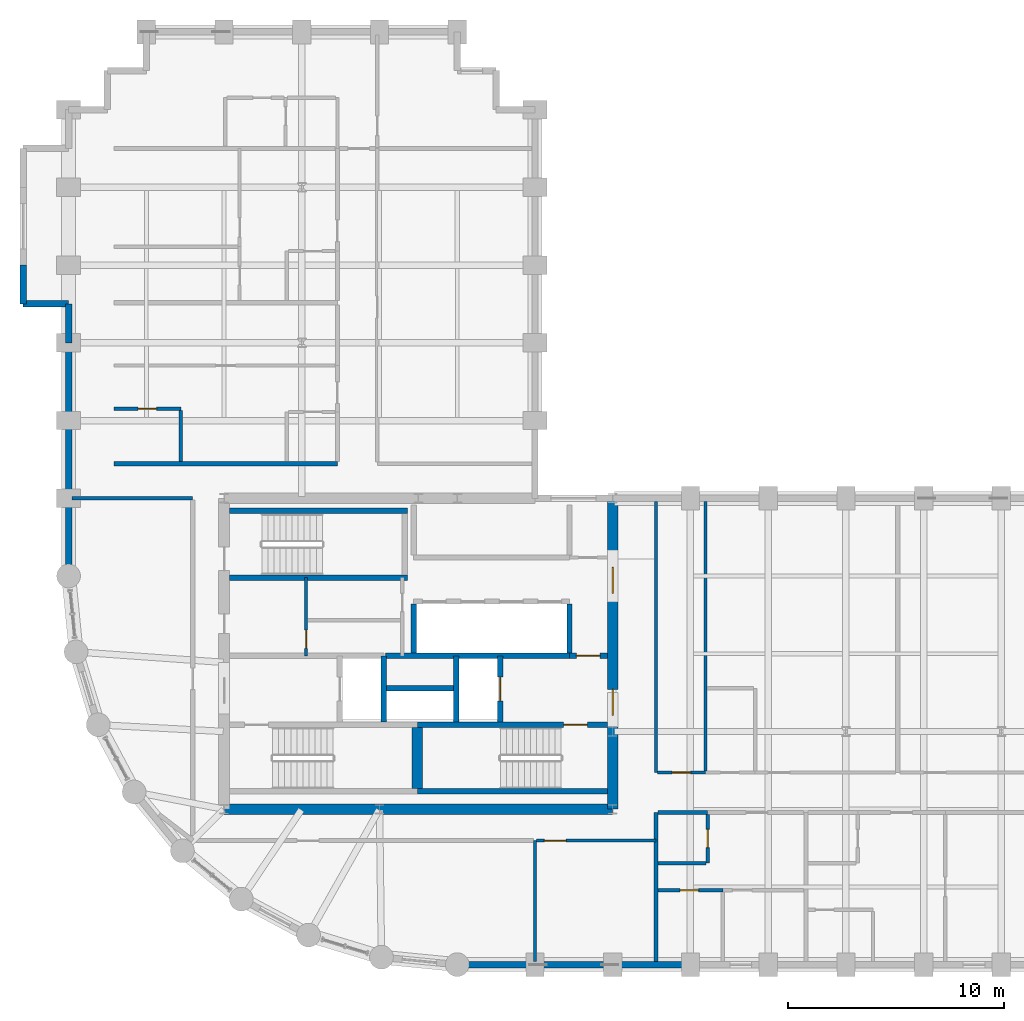
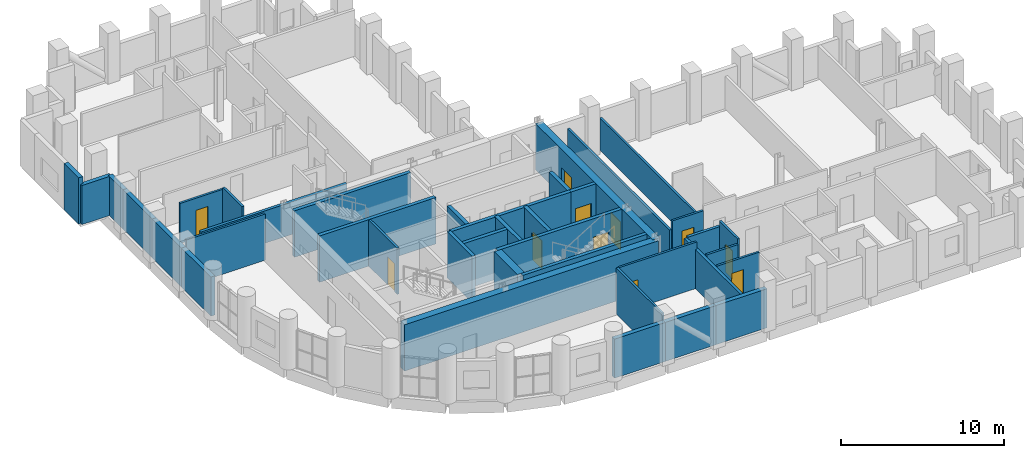
# One storey, part 8 of 13: 39 walls, 11 doors, 11 openings.
"""IFC4 building model written with IfcOpenShell, lengths in metres."""

from ifc_helpers import new_model, si_unit, direction, frame, frame_2d, origin, place, context, subcontext, project, spatial, rectangle, extrude, material, layer, layer_set, type_object, element, fill, save


model = new_model("IFC4")

# Units and contexts
model_context = context("Model", 3, precision=1e-05, world=origin(), true_north=direction((0.0, 1.0)))
body_context = subcontext(model_context, "Body", "Model", "MODEL_VIEW")
ifc_project = project(units=[si_unit("LENGTHUNIT", "METRE"), si_unit("AREAUNIT", "SQUARE_METRE"), si_unit("VOLUMEUNIT", "CUBIC_METRE"), si_unit("PLANEANGLEUNIT", "RADIAN"), si_unit("MASSUNIT", "GRAM", prefix="KILO")], contexts=[model_context])

# Site, building, storey
site_placement = place(None, origin())
site = spatial("IfcSite", under=ifc_project, at=site_placement, CompositionType="ELEMENT")
building_placement = place(site_placement, origin())
building = spatial("IfcBuilding", under=site, at=building_placement, Name="Solnavia Interchange Tower", CompositionType="ELEMENT")
storey_placement = place(building_placement, frame((0.0, 0.0, 123.800048828125)))
storey = spatial("IfcBuildingStorey", under=building, at=storey_placement, Name="L30", CompositionType="ELEMENT", Elevation=123.800048828125)

# Walls
ifc_material_1 = material(Name="Gypsum Acoustic Twin-Stud & Mineral Wool", Category="gypsum")
ifc_layer_1 = layer(ifc_material_1, 0.199951171875)
ifc_layer_set_1 = layer_set([ifc_layer_1], Name="Gypsum Acoustic Twin-Stud & Mineral Wool")
wall_type_1 = type_object("IfcWallType", Name="Wall-ApartmentParty-200", PredefinedType="PARTITIONING", material=ifc_layer_set_1)
wall_1_placement = place(storey_placement, frame((34.39990234375, 3.75390625, 0.0), z_axis=(0.0, 0.0, 1.0), x_axis=(0.0, 1.0, 0.0)))
element("IfcWall", 1, at=wall_1_placement, inside=storey, type_object=wall_type_1, Name="PTW-L30-13 Interior partition wall", PredefinedType="PARTITIONING", context=body_context, shape_type="SweptSolid", body=[
    extrude(rectangle(XDim=6.89599609375, YDim=0.199951171875, at=frame_2d((3.447998046875, 0.0))), origin(), (0.0, 0.0, 1.0), 2.929931640625),
])
wall_2_placement = place(storey_placement, frame((34.50390625, 10.64990234375, 0.0), z_axis=(0.0, 0.0, 1.0), x_axis=(1.0, 0.0, 0.0)))
element("IfcWall", 2, at=wall_2_placement, inside=storey, type_object=wall_type_1, Name="PTW-L30-15 Interior partition wall", PredefinedType="PARTITIONING", context=body_context, shape_type="SweptSolid", body=[
    extrude(rectangle(XDim=2.296142578125, YDim=0.199951171875, at=frame_2d((1.14794921875, 0.0))), origin(), (0.0, 0.0, 1.0), 3.010009765625),
])
wall_3_placement = place(storey_placement, frame((9.300048828125, 26.800048828125, 0.0), z_axis=(0.0, 0.0, 1.0), x_axis=(1.0, 0.0, 0.0)))
element("IfcWall", 3, at=wall_3_placement, inside=storey, type_object=wall_type_1, Name="PTW-L30-42 Interior partition wall", PredefinedType="PARTITIONING", context=body_context, shape_type="SweptSolid", body=[
    extrude(rectangle(XDim=10.349853515625, YDim=0.199951171875, at=frame_2d((5.1748046875, 0.0))), origin(), (0.0, 0.0, 1.0), 2.429931640625),
])
ifc_material_2 = material(Name="Concrete C40/50", Category="concrete")
ifc_layer_2 = layer(ifc_material_2, 0.300048828125)
ifc_layer_set_2 = layer_set([ifc_layer_2], Name="Concrete C40/50")
wall_type_2 = type_object("IfcWallType", Name="Wall-ExtSpandrel-300", PredefinedType="STANDARD", material=ifc_layer_set_2)
wall_4_placement = place(storey_placement, frame((28.800048828125, 3.60009765625, 0.0), z_axis=(0.0, 0.0, 1.0), x_axis=(-1.0, 0.0, 0.0)))
element("IfcWall", 4, at=wall_4_placement, inside=storey, type_object=wall_type_2, Name="EXW-L30-01 Exterior precast spandrel wall", PredefinedType="STANDARD", context=body_context, shape_type="SweptSolid", body=[
    extrude(rectangle(XDim=3.60009765625, YDim=0.300048828125, at=frame_2d((1.800048828125, 0.0))), origin(), (0.0, 0.0, 1.0), 2.929931640625),
])
wall_5_placement = place(storey_placement, frame((32.39990234375, 3.60009765625, 0.0), z_axis=(0.0, 0.0, 1.0), x_axis=(-1.0, 0.0, 0.0)))
element("IfcWall", 5, at=wall_5_placement, inside=storey, type_object=wall_type_2, Name="EXW-L30-02 Exterior precast spandrel wall", PredefinedType="STANDARD", context=body_context, shape_type="SweptSolid", body=[
    extrude(rectangle(XDim=3.599853515625, YDim=0.300048828125, at=frame_2d((1.7998046875, 0.0))), origin(), (0.0, 0.0, 1.0), 2.929931640625),
])
wall_6_placement = place(storey_placement, frame((36.0, 3.60009765625, 0.0), z_axis=(0.0, 0.0, 1.0), x_axis=(-1.0, 0.0, 0.0)))
element("IfcWall", 6, at=wall_6_placement, inside=storey, type_object=wall_type_2, Name="EXW-L30-03 Exterior precast spandrel wall", PredefinedType="STANDARD", context=body_context, shape_type="SweptSolid", body=[
    extrude(rectangle(XDim=3.60009765625, YDim=0.300048828125, at=frame_2d((1.800048828125, 0.0))), origin(), (0.0, 0.0, 1.0), 2.929931640625),
])
wall_7_placement = place(storey_placement, frame((5.10009765625, 34.199951171875, 0.0), z_axis=(0.0, 0.0, 1.0), x_axis=(0.0, 1.0, 0.0)))
element("IfcWall", 7, at=wall_7_placement, inside=storey, type_object=wall_type_2, Name="EXW-L30-49 Exterior precast spandrel wall", PredefinedType="STANDARD", context=body_context, shape_type="SweptSolid", body=[
    extrude(rectangle(XDim=1.800048828125, YDim=0.300048828125, at=frame_2d((0.89990234375, 0.0))), origin(), (0.0, 0.0, 1.0), 3.46484375),
])
wall_8_placement = place(storey_placement, frame((5.10009765625, 34.199951171875, 0.0), z_axis=(0.0, 0.0, 1.0), x_axis=(1.0, 0.0, 0.0)))
element("IfcWall", 8, at=wall_8_placement, inside=storey, type_object=wall_type_2, Name="EXW-L30-50 Exterior precast spandrel wall", PredefinedType="STANDARD", context=body_context, shape_type="SweptSolid", body=[
    extrude(rectangle(XDim=2.099853515625, YDim=0.300048828125, at=frame_2d((1.0498046875, 0.0))), origin(), (0.0, 0.0, 1.0), 2.929931640625),
])
wall_9_placement = place(storey_placement, frame((7.199951171875, 32.39990234375, 0.0), z_axis=(0.0, 0.0, 1.0), x_axis=(0.0, 1.0, 0.0)))
element("IfcWall", 9, at=wall_9_placement, inside=storey, type_object=wall_type_2, Name="EXW-L30-51 Exterior precast spandrel wall", PredefinedType="STANDARD", context=body_context, shape_type="SweptSolid", body=[
    extrude(rectangle(XDim=1.800048828125, YDim=0.300048828125, at=frame_2d((0.89990234375, 0.0))), origin(), (0.0, 0.0, 1.0), 2.929931640625),
])
wall_10_placement = place(storey_placement, frame((7.199951171875, 28.800048828125, 0.0), z_axis=(0.0, 0.0, 1.0), x_axis=(0.0, 1.0, 0.0)))
element("IfcWall", 10, at=wall_10_placement, inside=storey, type_object=wall_type_2, Name="EXW-L30-52 Exterior precast spandrel wall", PredefinedType="STANDARD", context=body_context, shape_type="SweptSolid", body=[
    extrude(rectangle(XDim=3.599853515625, YDim=0.300048828125, at=frame_2d((1.7998046875, 0.0))), origin(), (0.0, 0.0, 1.0), 2.929931640625),
])
wall_11_placement = place(storey_placement, frame((7.199951171875, 25.199951171875, 0.0), z_axis=(0.0, 0.0, 1.0), x_axis=(0.0, 1.0, 0.0)))
element("IfcWall", 11, at=wall_11_placement, inside=storey, type_object=wall_type_2, Name="EXW-L30-53 Exterior precast spandrel wall", PredefinedType="STANDARD", context=body_context, shape_type="SweptSolid", body=[
    extrude(rectangle(XDim=3.60009765625, YDim=0.300048828125, at=frame_2d((1.800048828125, 0.0))), origin(), (0.0, 0.0, 1.0), 2.929931640625),
])
wall_12_placement = place(storey_placement, frame((7.199951171875, 21.60009765625, 0.0), z_axis=(0.0, 0.0, 1.0), x_axis=(0.0, 1.0, 0.0)))
element("IfcWall", 12, at=wall_12_placement, inside=storey, type_object=wall_type_2, Name="EXW-L30-54 Exterior precast spandrel wall", PredefinedType="STANDARD", context=body_context, shape_type="SweptSolid", body=[
    extrude(rectangle(XDim=3.599853515625, YDim=0.300048828125, at=frame_2d((1.7998046875, 0.0))), origin(), (0.0, 0.0, 1.0), 2.929931640625),
])

# Wall, opening, door
ifc_material_3 = material(Name="Gypsum Plasterboard & Steel Stud", Category="steel")
ifc_layer_3 = layer(ifc_material_3, 0.14990234375)
ifc_layer_set_3 = layer_set([ifc_layer_3], Name="Gypsum Plasterboard & Steel Stud")
wall_type_3 = type_object("IfcWallType", Name="Wall-Partition-150", PredefinedType="PARTITIONING", material=ifc_layer_set_3)
wall_13_placement = place(storey_placement, frame((18.199951171875, 17.89990234375, 0.0), z_axis=(0.0, 0.0, 1.0), x_axis=(0.0, 1.0, 0.0)))
wall_13 = element("IfcWall", 13, at=wall_13_placement, inside=storey, type_object=wall_type_3, Name="CSW-L30-M1 Core shaft wall", PredefinedType="PARTITIONING", context=body_context, shape_type="SweptSolid", body=[
    extrude(rectangle(XDim=3.625, YDim=0.14990234375, at=frame_2d((1.8125, 0.0))), origin(), (0.0, 0.0, 1.0), 3.46484375),
])
opening_1_placement = place(wall_13_placement, frame((0.35009765625, 0.0, 0.0)))
opening_1 = element("IfcOpeningElement", 14, at=opening_1_placement, cuts=wall_13, Name="Opening DR-10", PredefinedType="OPENING", context=body_context, shape_type="SweptSolid", body=[
    extrude(rectangle(XDim=0.85009765625, YDim=2.10009765625, at=frame_2d((0.425048828125, 1.050048828125))), frame((0.0, 0.0849609375, 0.0), z_axis=(0.0, -1.0, 0.0), x_axis=(1.0, 0.0, 0.0)), (0.0, 0.0, 1.0), 0.169921875),
])
ifc_material_4 = material(Name="Moisture-Resistant Timber Door", Category="wood")
door_type_1 = type_object("IfcDoorType", Name="Door-Bathroom-850x2100", OperationType="SINGLE_SWING_RIGHT", PredefinedType="DOOR", material=ifc_material_4)
door_1_placement = place(opening_1_placement, origin())
door_1 = element("IfcDoor", 15, at=door_1_placement, inside=storey, type_object=door_type_1, Name="DR-L30-CS2 Core fire door", OperationType="SINGLE_SWING_LEFT", OverallHeight=2.10009765625, OverallWidth=0.85009765625, PredefinedType="DOOR", context=body_context, shape_type="SweptSolid", body=[
    extrude(rectangle(XDim=0.85009765625, YDim=2.10009765625, at=frame_2d((0.425048828125, 1.050048828125))), frame((0.0, 0.02490234375, 0.0), z_axis=(0.0, -1.0, 0.0), x_axis=(1.0, 0.0, 0.0)), (0.0, 0.0, 1.0), 0.050048828125),
])
fill(opening_1, door_1)

# Walls
wall_14_placement = place(storey_placement, frame((7.35400390625, 25.199951171875, 0.0), z_axis=(0.0, 0.0, 1.0), x_axis=(1.0, 0.0, 0.0)))
element("IfcWall", 16, at=wall_14_placement, inside=storey, type_object=wall_type_3, Name="PTW-L30-07 Interior partition wall", PredefinedType="PARTITIONING", context=body_context, shape_type="SweptSolid", body=[
    extrude(rectangle(XDim=5.595947265625, YDim=0.14990234375, at=frame_2d((2.7978515625, 0.0))), origin(), (0.0, 0.0, 1.0), 3.46484375),
])
wall_15_placement = place(storey_placement, frame((28.800048828125, 9.35009765625, 0.0), z_axis=(0.0, 0.0, 1.0), x_axis=(0.0, -1.0, 0.0)))
element("IfcWall", 17, at=wall_15_placement, inside=storey, type_object=wall_type_3, Name="PTW-L30-08 Interior partition wall", PredefinedType="PARTITIONING", context=body_context, shape_type="SweptSolid", body=[
    extrude(rectangle(XDim=5.59619140625, YDim=0.14990234375, at=frame_2d((2.798095703125, 0.0))), origin(), (0.0, 0.0, 1.0), 3.46484375),
])

# Wall, opening, door
wall_16_placement = place(storey_placement, frame((28.87890625, 9.35009765625, 0.0), z_axis=(0.0, 0.0, 1.0), x_axis=(1.0, 0.0, 0.0)))
wall_16 = element("IfcWall", 18, at=wall_16_placement, inside=storey, type_object=wall_type_3, Name="PTW-L30-12 Interior partition wall", PredefinedType="PARTITIONING", context=body_context, shape_type="SweptSolid", body=[
    extrude(rectangle(XDim=5.52099609375, YDim=0.14990234375, at=frame_2d((2.760498046875, 0.0))), origin(), (0.0, 0.0, 1.0), 3.46484375),
])
opening_2_placement = place(wall_16_placement, frame((0.360107421875, 0.0, 0.0)))
opening_2 = element("IfcOpeningElement", 19, at=opening_2_placement, cuts=wall_16, Name="Opening DR-07", PredefinedType="OPENING", context=body_context, shape_type="SweptSolid", body=[
    extrude(rectangle(XDim=1.0, YDim=2.10009765625, at=frame_2d((0.5, 1.050048828125))), frame((0.0, 0.0849609375, 0.0), z_axis=(0.0, -1.0, 0.0), x_axis=(1.0, 0.0, 0.0)), (0.0, 0.0, 1.0), 0.169921875),
])
ifc_material_5 = material(Name="Timber & Acoustic Glazed Office Door", Category="wood")
door_type_2 = type_object("IfcDoorType", Name="Door-Office-1000x2100", OperationType="SINGLE_SWING_RIGHT", PredefinedType="DOOR", material=ifc_material_5)
door_2_placement = place(opening_2_placement, origin())
door_2 = element("IfcDoor", 20, at=door_2_placement, inside=storey, type_object=door_type_2, Name="DR-L30-05 Interior room door", OperationType="SINGLE_SWING_LEFT", OverallHeight=2.10009765625, OverallWidth=1.0, PredefinedType="DOOR", context=body_context, shape_type="SweptSolid", body=[
    extrude(rectangle(XDim=1.0, YDim=2.10009765625, at=frame_2d((0.5, 1.050048828125))), frame((0.0, 0.02490234375, 0.0), z_axis=(0.0, -1.0, 0.0), x_axis=(1.0, 0.0, 0.0)), (0.0, 0.0, 1.0), 0.050048828125),
])
fill(opening_2, door_2)

# Wall
ifc_layer_4 = layer(ifc_material_2, 0.25)
ifc_layer_set_4 = layer_set([ifc_layer_4], Name="Concrete C40/50")
wall_type_4 = type_object("IfcWallType", Name="Wall-ShaftCore-250", PredefinedType="SHEAR", material=ifc_layer_set_4)
wall_17_placement = place(storey_placement, frame((23.35009765625, 11.625, 0.0), z_axis=(0.0, 0.0, 1.0), x_axis=(1.0, 0.0, 0.0)))
element("IfcWall", 21, at=wall_17_placement, inside=storey, type_object=wall_type_4, Name="SHW-L30-ST2S Core shear wall", PredefinedType="SHEAR", context=body_context, shape_type="SweptSolid", body=[
    extrude(rectangle(XDim=8.7998046875, YDim=0.25, at=frame_2d((4.39990234375, 0.0))), origin(), (0.0, 0.0, 1.0), 3.47998046875),
])

# Wall, opening, door
wall_18_placement = place(storey_placement, frame((23.35009765625, 14.715087890625, 0.0), z_axis=(0.0, 0.0, 1.0), x_axis=(1.0, 0.0, 0.0)))
wall_18 = element("IfcWall", 22, at=wall_18_placement, inside=storey, type_object=wall_type_4, Name="SHW-L30-ST2N Core shear wall", PredefinedType="SHEAR", context=body_context, shape_type="SweptSolid", body=[
    extrude(rectangle(XDim=8.7998046875, YDim=0.25, at=frame_2d((4.39990234375, 0.0))), origin(), (0.0, 0.0, 1.0), 3.47998046875),
])
opening_3_placement = place(wall_18_placement, frame((6.77490234375, 0.0, 0.0)))
opening_3 = element("IfcOpeningElement", 23, at=opening_3_placement, cuts=wall_18, Name="Opening DR-01", PredefinedType="OPENING", context=body_context, shape_type="SweptSolid", body=[
    extrude(rectangle(XDim=1.10009765625, YDim=2.10009765625, at=frame_2d((0.550048828125, 1.050048828125))), frame((0.0, 0.135009765625, 0.0), z_axis=(0.0, -1.0, 0.0), x_axis=(1.0, 0.0, 0.0)), (0.0, 0.0, 1.0), 0.27001953125),
])
ifc_material_6 = material(Name="Steel Fire-Rated Leaf & Frame", Category="steel")
door_type_3 = type_object("IfcDoorType", Name="Door-StairFire-1100x2100", OperationType="SINGLE_SWING_LEFT", PredefinedType="DOOR", material=ifc_material_6)
door_3_placement = place(opening_3_placement, origin())
door_3 = element("IfcDoor", 24, at=door_3_placement, inside=storey, type_object=door_type_3, Name="DR-L30-ST2 Core fire door", OperationType="SINGLE_SWING_LEFT", OverallHeight=2.10009765625, OverallWidth=1.10009765625, PredefinedType="DOOR", context=body_context, shape_type="SweptSolid", body=[
    extrude(rectangle(XDim=1.10009765625, YDim=2.10009765625, at=frame_2d((0.550048828125, 1.050048828125))), frame((0.0, 0.02490234375, 0.0), z_axis=(0.0, -1.0, 0.0), x_axis=(1.0, 0.0, 0.0)), (0.0, 0.0, 1.0), 0.050048828125),
])
fill(opening_3, door_3)

# Walls
for number, where, z_axis, x_axis, name in (
    (25, (14.64990234375, 21.52490234375, 0.0), (0.0, 0.0, 1.0), (1.0, 0.0, 0.0), "SHW-L30-ST3S Core shear wall"),
    (26, (14.64990234375, 24.614990234375, 0.0), (0.0, 0.0, 1.0), (1.0, 0.0, 0.0), "SHW-L30-ST3N Core shear wall"),
):
    element("IfcWall", number, at=place(storey_placement, frame(where, z_axis=z_axis, x_axis=x_axis)), inside=storey, type_object=wall_type_4, Name=name, PredefinedType="SHEAR", context=body_context, shape_type="SweptSolid", body=[
        extrude(rectangle(XDim=8.25, YDim=0.25, at=frame_2d((4.125, 0.0))), origin(), (0.0, 0.0, 1.0), 3.47998046875),
    ])
ifc_layer_5 = layer(ifc_material_2, 0.25)
ifc_layer_set_5 = layer_set([ifc_layer_5], Name="Concrete C40/50")
wall_type_5 = type_object("IfcWallType", Name="Wall-ShaftPart-250", PredefinedType="PARTITIONING", material=ifc_layer_set_5)
wall_19_placement = place(storey_placement, frame((21.800048828125, 14.840087890625, 0.0), z_axis=(0.0, 0.0, 1.0), x_axis=(0.0, 1.0, 0.0)))
element("IfcWall", 27, at=wall_19_placement, inside=storey, type_object=wall_type_5, Name="SHW-L30-FFL1-E Core shaft wall", PredefinedType="PARTITIONING", context=body_context, shape_type="SweptSolid", body=[
    extrude(rectangle(XDim=3.059814453125, YDim=0.25, at=frame_2d((1.52978515625, 0.0))), origin(), (0.0, 0.0, 1.0), 3.46484375),
])
wall_20_placement = place(storey_placement, frame((21.8798828125, 17.89990234375, 0.0), z_axis=(0.0, 0.0, 1.0), x_axis=(1.0, 0.0, 0.0)))
element("IfcWall", 28, at=wall_20_placement, inside=storey, type_object=wall_type_5, Name="SHW-L30-FFLE-N1 Core shaft wall", PredefinedType="PARTITIONING", context=body_context, shape_type="SweptSolid", body=[
    extrude(rectangle(XDim=8.52001953125, YDim=0.25, at=frame_2d((4.260009765625, 0.0))), origin(), (0.0, 0.0, 1.0), 3.46484375),
])

# Wall, opening, door
wall_21_placement = place(storey_placement, frame((30.39990234375, 17.89990234375, 0.0), z_axis=(0.0, 0.0, 1.0), x_axis=(1.0, 0.0, 0.0)))
wall_21 = element("IfcWall", 29, at=wall_21_placement, inside=storey, type_object=wall_type_5, Name="SHW-L30-FFLE-N2 Core shaft wall", PredefinedType="PARTITIONING", context=body_context, shape_type="SweptSolid", body=[
    extrude(rectangle(XDim=1.75, YDim=0.25, at=frame_2d((0.875, 0.0))), origin(), (0.0, 0.0, 1.0), 3.46484375),
])
opening_4_placement = place(wall_21_placement, frame((0.320068359375, 0.0, 0.0)))
opening_4 = element("IfcOpeningElement", 30, at=opening_4_placement, cuts=wall_21, Name="Opening DR-01", PredefinedType="OPENING", context=body_context, shape_type="SweptSolid", body=[
    extrude(rectangle(XDim=1.10009765625, YDim=2.10009765625, at=frame_2d((0.550048828125, 1.050048828125))), frame((0.0, 0.135009765625, 0.0), z_axis=(0.0, -1.0, 0.0), x_axis=(1.0, 0.0, 0.0)), (0.0, 0.0, 1.0), 0.27001953125),
])
door_4_placement = place(opening_4_placement, origin())
door_4 = element("IfcDoor", 31, at=door_4_placement, inside=storey, type_object=door_type_3, Name="DR-L30-LLC Core fire door", OperationType="SINGLE_SWING_LEFT", OverallHeight=2.10009765625, OverallWidth=1.10009765625, PredefinedType="DOOR", context=body_context, shape_type="SweptSolid", body=[
    extrude(rectangle(XDim=1.10009765625, YDim=2.10009765625, at=frame_2d((0.550048828125, 1.050048828125))), frame((0.0, 0.02490234375, 0.0), z_axis=(0.0, -1.0, 0.0), x_axis=(1.0, 0.0, 0.0)), (0.0, 0.0, 1.0), 0.050048828125),
])
fill(opening_4, door_4)

# Wall
wall_22_placement = place(storey_placement, frame((25.14990234375, 14.840087890625, 0.0), z_axis=(0.0, 0.0, 1.0), x_axis=(0.0, 1.0, 0.0)))
element("IfcWall", 32, at=wall_22_placement, inside=storey, type_object=wall_type_5, Name="SHW-L30-FFL2-W Core shaft wall", PredefinedType="PARTITIONING", context=body_context, shape_type="SweptSolid", body=[
    extrude(rectangle(XDim=3.059814453125, YDim=0.25, at=frame_2d((1.52978515625, 0.0))), origin(), (0.0, 0.0, 1.0), 3.46484375),
])

# Wall, opening, door
wall_23_placement = place(storey_placement, frame((27.199951171875, 14.840087890625, 0.0), z_axis=(0.0, 0.0, 1.0), x_axis=(0.0, 1.0, 0.0)))
wall_23 = element("IfcWall", 33, at=wall_23_placement, inside=storey, type_object=wall_type_5, Name="SHW-L30-FFL2-E Core shaft wall", PredefinedType="PARTITIONING", context=body_context, shape_type="SweptSolid", body=[
    extrude(rectangle(XDim=3.059814453125, YDim=0.25, at=frame_2d((1.52978515625, 0.0))), origin(), (0.0, 0.0, 1.0), 3.46484375),
])
opening_5_placement = place(wall_23_placement, frame((0.97998046875, 0.0, 0.0)))
opening_5 = element("IfcOpeningElement", 34, at=opening_5_placement, cuts=wall_23, Name="Opening LD-01", PredefinedType="OPENING", context=body_context, shape_type="SweptSolid", body=[
    extrude(rectangle(XDim=1.10009765625, YDim=2.10009765625, at=frame_2d((0.550048828125, 1.050048828125))), frame((0.0, 0.135009765625, 0.0), z_axis=(0.0, -1.0, 0.0), x_axis=(1.0, 0.0, 0.0)), (0.0, 0.0, 1.0), 0.27001953125),
])
ifc_material_7 = material(Name="Brushed Stainless Steel Sliding Door", Category="steel")
door_type_4 = type_object("IfcDoorType", Name="Door-LiftLanding-1100x2100", OperationType="SLIDING_TO_LEFT", PredefinedType="DOOR", material=ifc_material_7)
door_5_placement = place(opening_5_placement, origin())
door_5 = element("IfcDoor", 35, at=door_5_placement, inside=storey, type_object=door_type_4, Name="LD-L30-FFL2 Lift landing sliding door", OperationType="SLIDING_TO_LEFT", OverallHeight=2.10009765625, OverallWidth=1.10009765625, PredefinedType="DOOR", context=body_context, shape_type="SweptSolid", body=[
    extrude(rectangle(XDim=1.10009765625, YDim=2.10009765625, at=frame_2d((0.550048828125, 1.050048828125))), frame((0.0, 0.02490234375, 0.0), z_axis=(0.0, -1.0, 0.0), x_axis=(1.0, 0.0, 0.0)), (0.0, 0.0, 1.0), 0.050048828125),
])
fill(opening_5, door_5)

# Walls
wall_24_placement = place(storey_placement, frame((21.800048828125, 16.39990234375, 0.0), z_axis=(0.0, 0.0, 1.0), x_axis=(1.0, 0.0, 0.0)))
element("IfcWall", 36, at=wall_24_placement, inside=storey, type_object=wall_type_5, Name="SHW-L30-MEP-N Core shaft wall", PredefinedType="PARTITIONING", context=body_context, shape_type="SweptSolid", body=[
    extrude(rectangle(XDim=3.349853515625, YDim=0.25, at=frame_2d((1.6748046875, 0.0))), origin(), (0.0, 0.0, 1.0), 3.46484375),
])
for number, where, z_axis, x_axis, name in (
    (37, (23.179931640625, 18.02490234375, 0.0), (0.0, 0.0, 1.0), (0.0, 1.0, 0.0), "SHW-L30-B2W Core shaft wall"),
    (38, (30.39990234375, 18.02490234375, 0.0), (0.0, 0.0, 1.0), (0.0, 1.0, 0.0), "SHW-L30-B2E Core shaft wall"),
):
    element("IfcWall", number, at=place(storey_placement, frame(where, z_axis=z_axis, x_axis=x_axis)), inside=storey, type_object=wall_type_5, Name=name, PredefinedType="PARTITIONING", context=body_context, shape_type="SweptSolid", body=[
        extrude(rectangle(XDim=2.27001953125, YDim=0.25, at=frame_2d((1.135009765625, 0.0))), origin(), (0.0, 0.0, 1.0), 3.46484375),
    ])
ifc_material_8 = material(Name="Concrete C60/75", Category="concrete")
ifc_layer_6 = layer(ifc_material_8, 0.5)
ifc_layer_set_6 = layer_set([ifc_layer_6], Name="Concrete C60/75")
wall_type_6 = type_object("IfcWallType", Name="Wall-ShearCore-500", PredefinedType="SHEAR", material=ifc_layer_set_6)
wall_25_placement = place(storey_placement, frame((14.39990234375, 10.800048828125, 0.0), z_axis=(0.0, 0.0, 1.0), x_axis=(1.0, 0.0, 0.0)))
element("IfcWall", 39, at=wall_25_placement, inside=storey, type_object=wall_type_6, Name="CRW-L30-S Core shear wall", PredefinedType="SHEAR", context=body_context, shape_type="SweptSolid", body=[
    extrude(rectangle(XDim=18.0, YDim=0.5, at=frame_2d((9.0, 0.0))), origin(), (0.0, 0.0, 1.0), 3.47998046875),
])

# Wall, openings, doors
wall_26_placement = place(storey_placement, frame((32.39990234375, 10.800048828125, 0.0), z_axis=(0.0, 0.0, 1.0), x_axis=(0.0, 1.0, 0.0)))
wall_26 = element("IfcWall", 40, at=wall_26_placement, inside=storey, type_object=wall_type_6, Name="CRW-L30-E Core shear wall", PredefinedType="SHEAR", context=body_context, shape_type="SweptSolid", body=[
    extrude(rectangle(XDim=14.39990234375, YDim=0.5, at=frame_2d((7.199951171875, 0.0))), origin(), (0.0, 0.0, 1.0), 3.47998046875),
])
opening_6_placement = place(wall_26_placement, frame((4.35009765625, 0.0, 0.0)))
opening_6 = element("IfcOpeningElement", 41, at=opening_6_placement, cuts=wall_26, Name="Opening DR-02", PredefinedType="OPENING", context=body_context, shape_type="SweptSolid", body=[
    extrude(rectangle(XDim=1.199951171875, YDim=2.10009765625, at=frame_2d((0.60009765625, 1.050048828125))), frame((0.0, 0.260009765625, 0.0), z_axis=(0.0, -1.0, 0.0), x_axis=(1.0, 0.0, 0.0)), (0.0, 0.0, 1.0), 0.52001953125),
])
opening_7_placement = place(wall_26_placement, frame((10.0, 0.0, 0.0)))
opening_7 = element("IfcOpeningElement", 42, at=opening_7_placement, cuts=wall_26, Name="Opening DR-02", PredefinedType="OPENING", context=body_context, shape_type="SweptSolid", body=[
    extrude(rectangle(XDim=1.199951171875, YDim=2.10009765625, at=frame_2d((0.60009765625, 1.050048828125))), frame((0.0, 0.260009765625, 0.0), z_axis=(0.0, -1.0, 0.0), x_axis=(1.0, 0.0, 0.0)), (0.0, 0.0, 1.0), 0.52001953125),
])
ifc_material_9 = material(Name="Steel Fire-Rated Vision-Panel Door", Category="steel")
door_type_5 = type_object("IfcDoorType", Name="Door-LobbyFire-1200x2100", OperationType="SINGLE_SWING_RIGHT", PredefinedType="DOOR", material=ifc_material_9)
door_6_placement = place(opening_6_placement, origin())
door_6 = element("IfcDoor", 43, at=door_6_placement, inside=storey, type_object=door_type_5, Name="DR-L30-FFL2E Core fire door", OperationType="SINGLE_SWING_LEFT", OverallHeight=2.10009765625, OverallWidth=1.199951171875, PredefinedType="DOOR", context=body_context, shape_type="SweptSolid", body=[
    extrude(rectangle(XDim=1.199951171875, YDim=2.10009765625, at=frame_2d((0.60009765625, 1.050048828125))), frame((0.0, 0.02490234375, 0.0), z_axis=(0.0, -1.0, 0.0), x_axis=(1.0, 0.0, 0.0)), (0.0, 0.0, 1.0), 0.050048828125),
])
fill(opening_6, door_6)
door_7_placement = place(opening_7_placement, origin())
door_7 = element("IfcDoor", 44, at=door_7_placement, inside=storey, type_object=door_type_5, Name="DR-L30-LLE Core fire door", OperationType="SINGLE_SWING_RIGHT", OverallHeight=2.10009765625, OverallWidth=1.199951171875, PredefinedType="DOOR", context=body_context, shape_type="SweptSolid", body=[
    extrude(rectangle(XDim=1.199951171875, YDim=2.10009765625, at=frame_2d((0.60009765625, 1.050048828125))), frame((0.0, 0.02490234375, 0.0), z_axis=(0.0, -1.0, 0.0), x_axis=(1.0, 0.0, 0.0)), (0.0, 0.0, 1.0), 0.050048828125),
])
fill(opening_7, door_7)

# Walls
wall_27_placement = place(storey_placement, frame((23.35009765625, 11.75, 0.0), z_axis=(0.0, 0.0, 1.0), x_axis=(0.0, 1.0, 0.0)))
element("IfcWall", 45, at=wall_27_placement, inside=storey, type_object=wall_type_6, Name="SHW-L30-ST12M Core shear wall", PredefinedType="SHEAR", context=body_context, shape_type="SweptSolid", body=[
    extrude(rectangle(XDim=2.840087890625, YDim=0.5, at=frame_2d((1.419921875, 0.0))), origin(), (0.0, 0.0, 1.0), 3.47998046875),
])
ifc_material_10 = material(Name="Moisture-Resistant Gypsum & Steel Stud", Category="steel")
ifc_layer_7 = layer(ifc_material_10, 0.14990234375)
ifc_layer_set_7 = layer_set([ifc_layer_7], Name="Moisture-Resistant Gypsum & Steel Stud")
wall_type_7 = type_object("IfcWallType", Name="Wall-WetRoom-150", PredefinedType="PARTITIONING", material=ifc_layer_set_7)
wall_28_placement = place(storey_placement, frame((34.39990234375, 12.5, 0.0), z_axis=(0.0, 0.0, 1.0), x_axis=(0.0, 1.0, 0.0)))
element("IfcWall", 46, at=wall_28_placement, inside=storey, type_object=wall_type_7, Name="PTW-L30-01 Interior partition wall", PredefinedType="PARTITIONING", context=body_context, shape_type="SweptSolid", body=[
    extrude(rectangle(XDim=12.5458984375, YDim=0.14990234375, at=frame_2d((6.27294921875, 0.0))), origin(), (0.0, 0.0, 1.0), 2.429931640625),
])

# Wall, opening, door
wall_29_placement = place(storey_placement, frame((34.47900390625, 12.5, 0.0), z_axis=(0.0, 0.0, 1.0), x_axis=(1.0, 0.0, 0.0)))
wall_29 = element("IfcWall", 47, at=wall_29_placement, inside=storey, type_object=wall_type_7, Name="PTW-L30-02 Interior partition wall", PredefinedType="PARTITIONING", context=body_context, shape_type="SweptSolid", body=[
    extrude(rectangle(XDim=2.220947265625, YDim=0.14990234375, at=frame_2d((1.1103515625, 0.0))), origin(), (0.0, 0.0, 1.0), 3.099853515625),
])
opening_8_placement = place(wall_29_placement, frame((0.674072265625, 0.0, 0.0)))
opening_8 = element("IfcOpeningElement", 48, at=opening_8_placement, cuts=wall_29, Name="Opening DR-10", PredefinedType="OPENING", context=body_context, shape_type="SweptSolid", body=[
    extrude(rectangle(XDim=0.85009765625, YDim=2.10009765625, at=frame_2d((0.425048828125, 1.050048828125))), frame((0.0, 0.0849609375, 0.0), z_axis=(0.0, -1.0, 0.0), x_axis=(1.0, 0.0, 0.0)), (0.0, 0.0, 1.0), 0.169921875),
])
door_8_placement = place(opening_8_placement, origin())
door_8 = element("IfcDoor", 49, at=door_8_placement, inside=storey, type_object=door_type_1, Name="DR-L30-01 Interior room door", OperationType="SINGLE_SWING_LEFT", OverallHeight=2.10009765625, OverallWidth=0.85009765625, PredefinedType="DOOR", context=body_context, shape_type="SweptSolid", body=[
    extrude(rectangle(XDim=0.85009765625, YDim=2.10009765625, at=frame_2d((0.425048828125, 1.050048828125))), frame((0.0, 0.02490234375, 0.0), z_axis=(0.0, -1.0, 0.0), x_axis=(1.0, 0.0, 0.0)), (0.0, 0.0, 1.0), 0.050048828125),
])
fill(opening_8, door_8)

# Wall
wall_30_placement = place(storey_placement, frame((36.699951171875, 12.5791015625, 0.0), z_axis=(0.0, 0.0, 1.0), x_axis=(0.0, 1.0, 0.0)))
element("IfcWall", 50, at=wall_30_placement, inside=storey, type_object=wall_type_7, Name="PTW-L30-03 Interior partition wall", PredefinedType="PARTITIONING", context=body_context, shape_type="SweptSolid", body=[
    extrude(rectangle(XDim=12.466796875, YDim=0.14990234375, at=frame_2d((6.2333984375, 0.0))), origin(), (0.0, 0.0, 1.0), 2.429931640625),
])

# Wall, opening, door
wall_31_placement = place(storey_placement, frame((36.800048828125, 8.300048828125, 0.0), z_axis=(0.0, 0.0, 1.0), x_axis=(0.0, 1.0, 0.0)))
wall_31 = element("IfcWall", 51, at=wall_31_placement, inside=storey, type_object=wall_type_7, Name="PTW-L30-16 Interior partition wall", PredefinedType="PARTITIONING", context=body_context, shape_type="SweptSolid", body=[
    extrude(rectangle(XDim=2.245849609375, YDim=0.14990234375, at=frame_2d((1.123046875, 0.0))), origin(), (0.0, 0.0, 1.0), 3.46484375),
])
opening_9_placement = place(wall_31_placement, frame((0.719970703125, 0.0, 0.0)))
opening_9 = element("IfcOpeningElement", 52, at=opening_9_placement, cuts=wall_31, Name="Opening DR-10", PredefinedType="OPENING", context=body_context, shape_type="SweptSolid", body=[
    extrude(rectangle(XDim=0.85009765625, YDim=2.10009765625, at=frame_2d((0.425048828125, 1.050048828125))), frame((0.0, 0.0849609375, 0.0), z_axis=(0.0, -1.0, 0.0), x_axis=(1.0, 0.0, 0.0)), (0.0, 0.0, 1.0), 0.169921875),
])
door_9_placement = place(opening_9_placement, origin())
door_9 = element("IfcDoor", 53, at=door_9_placement, inside=storey, type_object=door_type_1, Name="DR-L30-06 Interior room door", OperationType="SINGLE_SWING_RIGHT", OverallHeight=2.10009765625, OverallWidth=0.85009765625, PredefinedType="DOOR", context=body_context, shape_type="SweptSolid", body=[
    extrude(rectangle(XDim=0.85009765625, YDim=2.10009765625, at=frame_2d((0.425048828125, 1.050048828125))), frame((0.0, 0.02490234375, 0.0), z_axis=(0.0, -1.0, 0.0), x_axis=(1.0, 0.0, 0.0)), (0.0, 0.0, 1.0), 0.050048828125),
])
fill(opening_9, door_9)

# Wall
wall_32_placement = place(storey_placement, frame((34.50390625, 8.300048828125, 0.0), z_axis=(0.0, 0.0, 1.0), x_axis=(1.0, 0.0, 0.0)))
element("IfcWall", 54, at=wall_32_placement, inside=storey, type_object=wall_type_7, Name="PTW-L30-17 Interior partition wall", PredefinedType="PARTITIONING", context=body_context, shape_type="SweptSolid", body=[
    extrude(rectangle(XDim=2.217041015625, YDim=0.14990234375, at=frame_2d((1.1083984375, 0.0))), origin(), (0.0, 0.0, 1.0), 3.099853515625),
])

# Wall, opening, door
wall_33_placement = place(storey_placement, frame((34.50390625, 7.050048828125, 0.0), z_axis=(0.0, 0.0, 1.0), x_axis=(1.0, 0.0, 0.0)))
wall_33 = element("IfcWall", 55, at=wall_33_placement, inside=storey, type_object=wall_type_7, Name="PTW-L30-20 Interior partition wall", PredefinedType="PARTITIONING", context=body_context, shape_type="SweptSolid", body=[
    extrude(rectangle(XDim=2.99609375, YDim=0.14990234375, at=frame_2d((1.498046875, 0.0))), origin(), (0.0, 0.0, 1.0), 3.010009765625),
])
opening_10_placement = place(wall_33_placement, frame((1.02099609375, 0.0, 0.0)))
opening_10 = element("IfcOpeningElement", 56, at=opening_10_placement, cuts=wall_33, Name="Opening DR-10", PredefinedType="OPENING", context=body_context, shape_type="SweptSolid", body=[
    extrude(rectangle(XDim=0.85009765625, YDim=2.10009765625, at=frame_2d((0.425048828125, 1.050048828125))), frame((0.0, 0.0849609375, 0.0), z_axis=(0.0, -1.0, 0.0), x_axis=(1.0, 0.0, 0.0)), (0.0, 0.0, 1.0), 0.169921875),
])
door_10_placement = place(opening_10_placement, origin())
door_10 = element("IfcDoor", 57, at=door_10_placement, inside=storey, type_object=door_type_1, Name="DR-L30-09 Interior room door", OperationType="SINGLE_SWING_LEFT", OverallHeight=2.10009765625, OverallWidth=0.85009765625, PredefinedType="DOOR", context=body_context, shape_type="SweptSolid", body=[
    extrude(rectangle(XDim=0.85009765625, YDim=2.10009765625, at=frame_2d((0.425048828125, 1.050048828125))), frame((0.0, 0.02490234375, 0.0), z_axis=(0.0, -1.0, 0.0), x_axis=(1.0, 0.0, 0.0)), (0.0, 0.0, 1.0), 0.050048828125),
])
fill(opening_10, door_10)

wall_34_placement = place(storey_placement, frame((9.300048828125, 29.35009765625, 0.0), z_axis=(0.0, 0.0, 1.0), x_axis=(1.0, 0.0, 0.0)))
wall_34 = element("IfcWall", 58, at=wall_34_placement, inside=storey, type_object=wall_type_7, Name="PTW-L30-50 Interior partition wall", PredefinedType="PARTITIONING", context=body_context, shape_type="SweptSolid", body=[
    extrude(rectangle(XDim=3.099853515625, YDim=0.14990234375, at=frame_2d((1.5498046875, 0.0))), origin(), (0.0, 0.0, 1.0), 3.010009765625),
])
opening_11_placement = place(wall_34_placement, frame((1.125, 0.0, 0.0)))
opening_11 = element("IfcOpeningElement", 59, at=opening_11_placement, cuts=wall_34, Name="Opening DR-10", PredefinedType="OPENING", context=body_context, shape_type="SweptSolid", body=[
    extrude(rectangle(XDim=0.85009765625, YDim=2.10009765625, at=frame_2d((0.425048828125, 1.050048828125))), frame((0.0, 0.0849609375, 0.0), z_axis=(0.0, -1.0, 0.0), x_axis=(1.0, 0.0, 0.0)), (0.0, 0.0, 1.0), 0.169921875),
])
door_11_placement = place(opening_11_placement, origin())
door_11 = element("IfcDoor", 60, at=door_11_placement, inside=storey, type_object=door_type_1, Name="DR-L30-23 Interior room door", OperationType="SINGLE_SWING_RIGHT", OverallHeight=2.10009765625, OverallWidth=0.85009765625, PredefinedType="DOOR", context=body_context, shape_type="SweptSolid", body=[
    extrude(rectangle(XDim=0.85009765625, YDim=2.10009765625, at=frame_2d((0.425048828125, 1.050048828125))), frame((0.0, 0.02490234375, 0.0), z_axis=(0.0, -1.0, 0.0), x_axis=(1.0, 0.0, 0.0)), (0.0, 0.0, 1.0), 0.050048828125),
])
fill(opening_11, door_11)

# Wall
wall_35_placement = place(storey_placement, frame((12.39990234375, 26.904052734375, 0.0), z_axis=(0.0, 0.0, 1.0), x_axis=(0.0, 1.0, 0.0)))
element("IfcWall", 61, at=wall_35_placement, inside=storey, type_object=wall_type_7, Name="PTW-L30-51 Interior partition wall", PredefinedType="PARTITIONING", context=body_context, shape_type="SweptSolid", body=[
    extrude(rectangle(XDim=2.366943359375, YDim=0.14990234375, at=frame_2d((1.18359375, 0.0))), origin(), (0.0, 0.0, 1.0), 3.14990234375),
])

save(model, "model.ifc")
